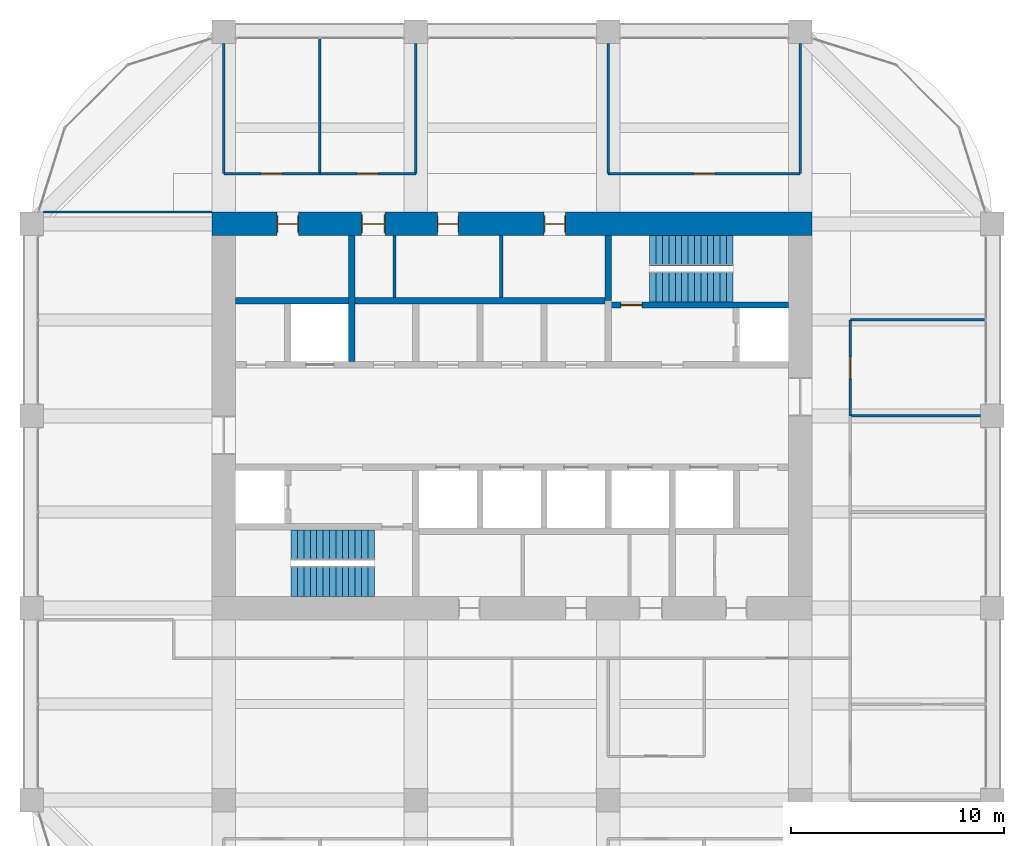
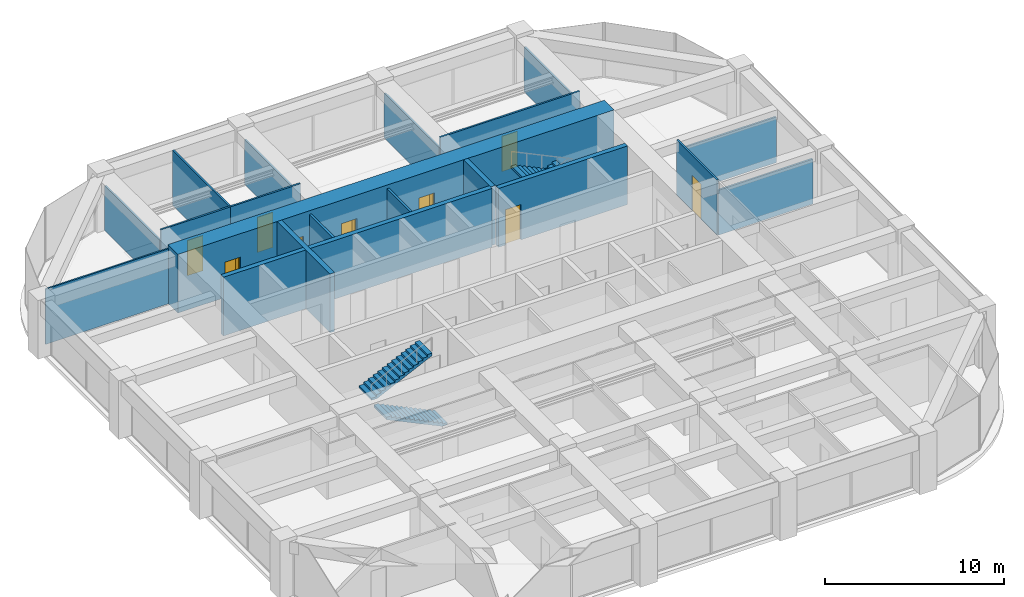
# One storey, part 43 of 44: 19 walls, 9 doors, 4 stair flights, 9 openings, 2 elements without a shape of their own.
"""IFC4 building model written with IfcOpenShell, lengths in metres."""

from ifc_helpers import new_model, si_unit, direction, frame, frame_2d, origin, place, context, subcontext, project, spatial, polyline, rectangle, outline, extrude, material, layer, layer_set, type_object, element, fill, aggregate, save


model = new_model("IFC4")

# Units and contexts
model_context = context("Model", 3, precision=1e-05, world=origin(), true_north=direction((0.0, 1.0)))
body_context = subcontext(model_context, "Body", "Model", "MODEL_VIEW")
ifc_project = project(units=[si_unit("LENGTHUNIT", "METRE"), si_unit("AREAUNIT", "SQUARE_METRE"), si_unit("VOLUMEUNIT", "CUBIC_METRE"), si_unit("PLANEANGLEUNIT", "RADIAN"), si_unit("MASSUNIT", "GRAM", prefix="KILO")], contexts=[model_context])

# Site, building, storey
site_placement = place(None, origin())
site = spatial("IfcSite", under=ifc_project, at=site_placement, CompositionType="ELEMENT")
building_placement = place(site_placement, origin())
building = spatial("IfcBuilding", under=site, at=building_placement, Name="Zorevar Civic Tower", CompositionType="ELEMENT")
storey_placement = place(building_placement, frame((0.0, 0.0, 299.39990234375)))
storey = spatial("IfcBuildingStorey", under=building, at=storey_placement, Name="L73", CompositionType="ELEMENT", Elevation=299.39990234375)

# Wall, openings, doors
ifc_material_1 = material(Name="Concrete C50/60", Category="concrete")
ifc_layer_1 = layer(ifc_material_1, 1.10009765625)
ifc_layer_set_1 = layer_set([ifc_layer_1], Name="Core wall 1100")
wall_type_1 = type_object("IfcWallType", Name="Core wall 1100", PredefinedType="SHEAR", material=ifc_layer_set_1)
wall_1_placement = place(storey_placement, frame((45.550048828125, 36.0, 0.0), z_axis=(0.0, 0.0, 1.0), x_axis=(-1.0, 0.0, 0.0)))
wall_1 = element("IfcWall", 1, at=wall_1_placement, inside=storey, type_object=wall_type_1, Name="Core wall N L73", PredefinedType="SHEAR", context=body_context, shape_type="SweptSolid", body=[
    extrude(rectangle(XDim=28.10009765625, YDim=1.10009765625, at=frame_2d((14.050048828125, 0.0))), origin(), (0.0, 0.0, 1.0), 4.0),
])
opening_1_placement = place(wall_1_placement, frame((11.550048828125, 0.0, 0.0)))
opening_1 = element("IfcOpeningElement", 2, at=opening_1_placement, cuts=wall_1, Name="Opening L73.07", PredefinedType="OPENING", context=body_context, shape_type="SweptSolid", body=[
    extrude(rectangle(XDim=1.0, YDim=2.39990234375, at=frame_2d((0.5, 1.199951171875))), frame((0.0, 0.56005859375, 0.0), z_axis=(0.0, -1.0, 0.0), x_axis=(1.0, 0.0, 0.0)), (0.0, 0.0, 1.0), 1.1201171875),
])
opening_2_placement = place(wall_1_placement, frame((16.550048828125, 0.0, 0.0)))
opening_2 = element("IfcOpeningElement", 3, at=opening_2_placement, cuts=wall_1, Name="Opening L73.08", PredefinedType="OPENING", context=body_context, shape_type="SweptSolid", body=[
    extrude(rectangle(XDim=1.0, YDim=2.39990234375, at=frame_2d((0.5, 1.199951171875))), frame((0.0, 0.56005859375, 0.0), z_axis=(0.0, -1.0, 0.0), x_axis=(1.0, 0.0, 0.0)), (0.0, 0.0, 1.0), 1.1201171875),
])
opening_3_placement = place(wall_1_placement, frame((20.0, 0.0, 0.0)))
opening_3 = element("IfcOpeningElement", 4, at=opening_3_placement, cuts=wall_1, Name="Opening L73.09", PredefinedType="OPENING", context=body_context, shape_type="SweptSolid", body=[
    extrude(rectangle(XDim=1.10009765625, YDim=2.39990234375, at=frame_2d((0.550048828125, 1.199951171875))), frame((0.0, 0.56005859375, 0.0), z_axis=(0.0, -1.0, 0.0), x_axis=(1.0, 0.0, 0.0)), (0.0, 0.0, 1.0), 1.1201171875),
])
opening_4_placement = place(wall_1_placement, frame((24.050048828125, 0.0, 0.0)))
opening_4 = element("IfcOpeningElement", 5, at=opening_4_placement, cuts=wall_1, Name="Opening L73.10", PredefinedType="OPENING", context=body_context, shape_type="SweptSolid", body=[
    extrude(rectangle(XDim=1.0, YDim=2.39990234375, at=frame_2d((0.5, 1.199951171875))), frame((0.0, 0.56005859375, 0.0), z_axis=(0.0, -1.0, 0.0), x_axis=(1.0, 0.0, 0.0)), (0.0, 0.0, 1.0), 1.1201171875),
])
ifc_material_2 = material(Name="Timber door set", Category="wood")
door_type_1 = type_object("IfcDoorType", Name="Door D1 1000x2400", OperationType="SINGLE_SWING_LEFT", PredefinedType="DOOR", material=ifc_material_2)
door_1_placement = place(opening_1_placement, origin())
door_1 = element("IfcDoor", 6, at=door_1_placement, inside=storey, type_object=door_type_1, Name="Door L73 06", OperationType="SINGLE_SWING_LEFT", OverallHeight=2.39990234375, OverallWidth=1.0, PredefinedType="DOOR", context=body_context, shape_type="SweptSolid", body=[
    extrude(rectangle(XDim=1.0, YDim=2.39990234375, at=frame_2d((0.5, 1.199951171875))), frame((0.0, 0.02490234375, 0.0), z_axis=(0.0, -1.0, 0.0), x_axis=(1.0, 0.0, 0.0)), (0.0, 0.0, 1.0), 0.050048828125),
    extrude(rectangle(XDim=0.04, YDim=2.39990234375, at=frame_2d((0.02001953125, 1.199951171875))), frame((0.0, 0.39990234375, 0.0), z_axis=(0.0, -1.0, 0.0), x_axis=(1.0, 0.0, 0.0)), (0.0, 0.0, 1.0), 0.800048828125),
    extrude(rectangle(XDim=0.04, YDim=2.39990234375, at=frame_2d((0.97998046875, 1.199951171875))), frame((0.0, 0.39990234375, 0.0), z_axis=(0.0, -1.0, 0.0), x_axis=(1.0, 0.0, 0.0)), (0.0, 0.0, 1.0), 0.800048828125),
    extrude(rectangle(XDim=1.0, YDim=0.04, at=frame_2d((0.5, 2.3798828125))), frame((0.0, 0.39990234375, 0.0), z_axis=(0.0, -1.0, 0.0), x_axis=(1.0, 0.0, 0.0)), (0.0, 0.0, 1.0), 0.800048828125),
])
fill(opening_1, door_1)
door_2_placement = place(opening_2_placement, origin())
door_2 = element("IfcDoor", 7, at=door_2_placement, inside=storey, type_object=door_type_1, Name="Door L73 07", OperationType="SINGLE_SWING_RIGHT", OverallHeight=2.39990234375, OverallWidth=1.0, PredefinedType="DOOR", context=body_context, shape_type="SweptSolid", body=[
    extrude(rectangle(XDim=1.0, YDim=2.39990234375, at=frame_2d((0.5, 1.199951171875))), frame((0.0, 0.02490234375, 0.0), z_axis=(0.0, -1.0, 0.0), x_axis=(1.0, 0.0, 0.0)), (0.0, 0.0, 1.0), 0.050048828125),
    extrude(rectangle(XDim=0.04, YDim=2.39990234375, at=frame_2d((0.02001953125, 1.199951171875))), frame((0.0, 0.39990234375, 0.0), z_axis=(0.0, -1.0, 0.0), x_axis=(1.0, 0.0, 0.0)), (0.0, 0.0, 1.0), 0.800048828125),
    extrude(rectangle(XDim=0.04, YDim=2.39990234375, at=frame_2d((0.97998046875, 1.199951171875))), frame((0.0, 0.39990234375, 0.0), z_axis=(0.0, -1.0, 0.0), x_axis=(1.0, 0.0, 0.0)), (0.0, 0.0, 1.0), 0.800048828125),
    extrude(rectangle(XDim=1.0, YDim=0.04, at=frame_2d((0.5, 2.3798828125))), frame((0.0, 0.39990234375, 0.0), z_axis=(0.0, -1.0, 0.0), x_axis=(1.0, 0.0, 0.0)), (0.0, 0.0, 1.0), 0.800048828125),
])
fill(opening_2, door_2)
door_3_placement = place(opening_4_placement, origin())
door_3 = element("IfcDoor", 8, at=door_3_placement, inside=storey, type_object=door_type_1, Name="Door L73 09", OperationType="SINGLE_SWING_RIGHT", OverallHeight=2.39990234375, OverallWidth=1.0, PredefinedType="DOOR", context=body_context, shape_type="SweptSolid", body=[
    extrude(rectangle(XDim=1.0, YDim=2.39990234375, at=frame_2d((0.5, 1.199951171875))), frame((0.0, 0.02490234375, 0.0), z_axis=(0.0, -1.0, 0.0), x_axis=(1.0, 0.0, 0.0)), (0.0, 0.0, 1.0), 0.050048828125),
    extrude(rectangle(XDim=0.04, YDim=2.39990234375, at=frame_2d((0.02001953125, 1.199951171875))), frame((0.0, 0.39990234375, 0.0), z_axis=(0.0, -1.0, 0.0), x_axis=(1.0, 0.0, 0.0)), (0.0, 0.0, 1.0), 0.800048828125),
    extrude(rectangle(XDim=0.04, YDim=2.39990234375, at=frame_2d((0.97998046875, 1.199951171875))), frame((0.0, 0.39990234375, 0.0), z_axis=(0.0, -1.0, 0.0), x_axis=(1.0, 0.0, 0.0)), (0.0, 0.0, 1.0), 0.800048828125),
    extrude(rectangle(XDim=1.0, YDim=0.04, at=frame_2d((0.5, 2.3798828125))), frame((0.0, 0.39990234375, 0.0), z_axis=(0.0, -1.0, 0.0), x_axis=(1.0, 0.0, 0.0)), (0.0, 0.0, 1.0), 0.800048828125),
])
fill(opening_4, door_3)
ifc_material_3 = material(Name="Timber door set", Category="wood")
door_type_2 = type_object("IfcDoorType", Name="Door D5 1100x2400", OperationType="SINGLE_SWING_LEFT", PredefinedType="DOOR", material=ifc_material_3)
door_4_placement = place(opening_3_placement, origin())
door_4 = element("IfcDoor", 9, at=door_4_placement, inside=storey, type_object=door_type_2, Name="Door L73 08", OperationType="SINGLE_SWING_RIGHT", OverallHeight=2.39990234375, OverallWidth=1.10009765625, PredefinedType="DOOR", context=body_context, shape_type="SweptSolid", body=[
    extrude(rectangle(XDim=1.10009765625, YDim=2.39990234375, at=frame_2d((0.550048828125, 1.199951171875))), frame((0.0, 0.02490234375, 0.0), z_axis=(0.0, -1.0, 0.0), x_axis=(1.0, 0.0, 0.0)), (0.0, 0.0, 1.0), 0.050048828125),
    extrude(rectangle(XDim=0.04, YDim=2.39990234375, at=frame_2d((0.02001953125, 1.199951171875))), frame((0.0, 0.43994140625, 0.0), z_axis=(0.0, -1.0, 0.0), x_axis=(1.0, 0.0, 0.0)), (0.0, 0.0, 1.0), 0.880126953125),
    extrude(rectangle(XDim=0.04, YDim=2.39990234375, at=frame_2d((1.080078125, 1.199951171875))), frame((0.0, 0.43994140625, 0.0), z_axis=(0.0, -1.0, 0.0), x_axis=(1.0, 0.0, 0.0)), (0.0, 0.0, 1.0), 0.880126953125),
    extrude(rectangle(XDim=1.10009765625, YDim=0.04, at=frame_2d((0.550048828125, 2.3798828125))), frame((0.0, 0.43994140625, 0.0), z_axis=(0.0, -1.0, 0.0), x_axis=(1.0, 0.0, 0.0)), (0.0, 0.0, 1.0), 0.880126953125),
])
fill(opening_3, door_4)

# Wall
ifc_material_4 = material(Name="Laminated glass in black aluminium frame", Category="aluminium")
ifc_layer_2 = layer(ifc_material_4, 0.10009765625)
ifc_layer_set_2 = layer_set([ifc_layer_2], Name="Glazed partition 100")
wall_type_2 = type_object("IfcWallType", Name="Glazed partition 100", PredefinedType="PARTITIONING", material=ifc_layer_set_2)
wall_2_placement = place(storey_placement, frame((9.550048828125, 36.550048828125, 0.0), z_axis=(0.0, 0.0, 1.0), x_axis=(1.0, 0.0, 0.0)))
element("IfcWall", 10, at=wall_2_placement, inside=storey, type_object=wall_type_2, Name="Glazed partition 100 L73", PredefinedType="PARTITIONING", context=body_context, shape_type="SweptSolid", body=[
    extrude(rectangle(XDim=7.89990234375, YDim=0.10009765625, at=frame_2d((3.949951171875, 0.0))), origin(), (0.0, 0.0, 1.0), 3.75),
])

# Wall, opening, door
ifc_material_5 = material(Name="Concrete C40/50", Category="concrete")
ifc_layer_3 = layer(ifc_material_5, 0.300048828125)
ifc_layer_set_3 = layer_set([ifc_layer_3], Name="Inner core wall 300")
wall_type_3 = type_object("IfcWallType", Name="Inner core wall 300", PredefinedType="SHEAR", material=ifc_layer_set_3)
wall_3_placement = place(storey_placement, frame((36.14990234375, 32.199951171875, 0.0), z_axis=(0.0, 0.0, 1.0), x_axis=(1.0, 0.0, 0.0)))
wall_3 = element("IfcWall", 11, at=wall_3_placement, inside=storey, type_object=wall_type_3, Name="Inner core wall N00 L73", PredefinedType="SHEAR", context=body_context, shape_type="SweptSolid", body=[
    extrude(rectangle(XDim=8.300048828125, YDim=0.300048828125, at=frame_2d((4.14990234375, 0.0))), origin(), (0.0, 0.0, 1.0), 4.0),
])
opening_5_placement = place(wall_3_placement, frame((0.449951171875, 0.0, 0.0)))
opening_5 = element("IfcOpeningElement", 12, at=opening_5_placement, cuts=wall_3, Name="Opening L73.12", PredefinedType="OPENING", context=body_context, shape_type="SweptSolid", body=[
    extrude(rectangle(XDim=1.0, YDim=2.39990234375, at=frame_2d((0.5, 1.199951171875))), frame((0.0, 0.159912109375, 0.0), z_axis=(0.0, -1.0, 0.0), x_axis=(1.0, 0.0, 0.0)), (0.0, 0.0, 1.0), 0.320068359375),
])
ifc_material_6 = material(Name="Steel door set", Category="steel")
door_type_3 = type_object("IfcDoorType", Name="Fire door FD1 1000x2400", OperationType="SINGLE_SWING_LEFT", PredefinedType="DOOR", material=ifc_material_6)
door_5_placement = place(opening_5_placement, origin())
door_5 = element("IfcDoor", 13, at=door_5_placement, inside=storey, type_object=door_type_3, Name="Door L73 11", OperationType="SINGLE_SWING_RIGHT", OverallHeight=2.39990234375, OverallWidth=1.0, PredefinedType="DOOR", context=body_context, shape_type="SweptSolid", body=[
    extrude(rectangle(XDim=1.0, YDim=2.39990234375, at=frame_2d((0.5, 1.199951171875))), frame((0.0, 0.030029296875, 0.0), z_axis=(0.0, -1.0, 0.0), x_axis=(1.0, 0.0, 0.0)), (0.0, 0.0, 1.0), 0.06005859375),
])
fill(opening_5, door_5)

# Walls
wall_4_placement = place(storey_placement, frame((36.0, 32.39990234375, 0.0), z_axis=(0.0, 0.0, 1.0), x_axis=(0.0, 1.0, 0.0)))
element("IfcWall", 14, at=wall_4_placement, inside=storey, type_object=wall_type_3, Name="Inner core wall N01 L73", PredefinedType="SHEAR", context=body_context, shape_type="SweptSolid", body=[
    extrude(rectangle(XDim=3.050048828125, YDim=0.300048828125, at=frame_2d((1.52490234375, 0.0))), origin(), (0.0, 0.0, 1.0), 4.0),
])
wall_5_placement = place(storey_placement, frame((18.550048828125, 32.39990234375, 0.0), z_axis=(0.0, 0.0, 1.0), x_axis=(1.0, 0.0, 0.0)))
element("IfcWall", 15, at=wall_5_placement, inside=storey, type_object=wall_type_3, Name="Inner core wall N04 L73", PredefinedType="SHEAR", context=body_context, shape_type="SweptSolid", body=[
    extrude(rectangle(XDim=17.300048828125, YDim=0.300048828125, at=frame_2d((8.64990234375, 0.0))), origin(), (0.0, 0.0, 1.0), 4.0),
])
wall_6_placement = place(storey_placement, frame((24.0, 29.550048828125, 0.0), z_axis=(0.0, 0.0, 1.0), x_axis=(0.0, 1.0, 0.0)))
element("IfcWall", 16, at=wall_6_placement, inside=storey, type_object=wall_type_3, Name="Inner core wall N08 L73", PredefinedType="SHEAR", context=body_context, shape_type="SweptSolid", body=[
    extrude(rectangle(XDim=5.89990234375, YDim=0.300048828125, at=frame_2d((2.949951171875, 0.0))), origin(), (0.0, 0.0, 1.0), 4.0),
])
ifc_material_7 = material(Name="Gypsum board on steel studs", Category="steel")
ifc_layer_4 = layer(ifc_material_7, 0.1201171875)
ifc_layer_set_4 = layer_set([ifc_layer_4], Name="Partition 120")
wall_type_4 = type_object("IfcWallType", Name="Partition 120", PredefinedType="PARTITIONING", material=ifc_layer_set_4)
wall_7_placement = place(storey_placement, frame((47.35009765625, 27.0, 0.0), z_axis=(0.0, 0.0, 1.0), x_axis=(1.0, 0.0, 0.0)))
element("IfcWall", 17, at=wall_7_placement, inside=storey, type_object=wall_type_4, Name="Partition 120 L73", PredefinedType="PARTITIONING", context=body_context, shape_type="SweptSolid", body=[
    extrude(rectangle(XDim=6.099853515625, YDim=0.1201171875, at=frame_2d((3.0498046875, 0.0))), origin(), (0.0, 0.0, 1.0), 3.050048828125),
])
wall_8_placement = place(storey_placement, frame((47.35009765625, 31.5, 0.0), z_axis=(0.0, 0.0, 1.0), x_axis=(1.0, 0.0, 0.0)))
element("IfcWall", 18, at=wall_8_placement, inside=storey, type_object=wall_type_4, Name="Partition 120 L73", PredefinedType="PARTITIONING", context=body_context, shape_type="SweptSolid", body=[
    extrude(rectangle(XDim=6.33984375, YDim=0.1201171875, at=frame_2d((3.169921875, 0.0))), origin(), (0.0, 0.0, 1.0), 3.10009765625),
])

# Wall, opening, door
wall_9_placement = place(storey_placement, frame((18.0, 38.35009765625, 0.0), z_axis=(0.0, 0.0, 1.0), x_axis=(1.0, 0.0, 0.0)))
wall_9 = element("IfcWall", 19, at=wall_9_placement, inside=storey, type_object=wall_type_4, Name="Partition 120 L73", PredefinedType="PARTITIONING", context=body_context, shape_type="SweptSolid", body=[
    extrude(rectangle(XDim=4.5, YDim=0.1201171875, at=frame_2d((2.25, 0.0))), origin(), (0.0, 0.0, 1.0), 3.75),
])
opening_6_placement = place(wall_9_placement, frame((1.75, 0.0, 0.0)))
opening_6 = element("IfcOpeningElement", 20, at=opening_6_placement, cuts=wall_9, Name="Opening L73.24", PredefinedType="OPENING", context=body_context, shape_type="SweptSolid", body=[
    extrude(rectangle(XDim=1.0, YDim=2.39990234375, at=frame_2d((0.5, 1.199951171875))), frame((0.0, 0.070068359375, 0.0), z_axis=(0.0, -1.0, 0.0), x_axis=(1.0, 0.0, 0.0)), (0.0, 0.0, 1.0), 0.14013671875),
])
door_6_placement = place(opening_6_placement, origin())
door_6 = element("IfcDoor", 21, at=door_6_placement, inside=storey, type_object=door_type_1, Name="Door L73 D1", OperationType="SINGLE_SWING_LEFT", OverallHeight=2.39990234375, OverallWidth=1.0, PredefinedType="DOOR", context=body_context, shape_type="SweptSolid", body=[
    extrude(rectangle(XDim=1.0, YDim=2.39990234375, at=frame_2d((0.5, 1.199951171875))), frame((0.0, 0.02490234375, 0.0), z_axis=(0.0, -1.0, 0.0), x_axis=(1.0, 0.0, 0.0)), (0.0, 0.0, 1.0), 0.050048828125),
])
fill(opening_6, door_6)

wall_10_placement = place(storey_placement, frame((22.5, 38.35009765625, 0.0), z_axis=(0.0, 0.0, 1.0), x_axis=(1.0, 0.0, 0.0)))
wall_10 = element("IfcWall", 22, at=wall_10_placement, inside=storey, type_object=wall_type_4, Name="Partition 120 L73", PredefinedType="PARTITIONING", context=body_context, shape_type="SweptSolid", body=[
    extrude(rectangle(XDim=4.5, YDim=0.1201171875, at=frame_2d((2.25, 0.0))), origin(), (0.0, 0.0, 1.0), 3.75),
])
opening_7_placement = place(wall_10_placement, frame((1.75, 0.0, 0.0)))
opening_7 = element("IfcOpeningElement", 23, at=opening_7_placement, cuts=wall_10, Name="Opening L73.25", PredefinedType="OPENING", context=body_context, shape_type="SweptSolid", body=[
    extrude(rectangle(XDim=1.0, YDim=2.39990234375, at=frame_2d((0.5, 1.199951171875))), frame((0.0, 0.070068359375, 0.0), z_axis=(0.0, -1.0, 0.0), x_axis=(1.0, 0.0, 0.0)), (0.0, 0.0, 1.0), 0.14013671875),
])
door_7_placement = place(opening_7_placement, origin())
door_7 = element("IfcDoor", 24, at=door_7_placement, inside=storey, type_object=door_type_1, Name="Door L73 D1", OperationType="SINGLE_SWING_LEFT", OverallHeight=2.39990234375, OverallWidth=1.0, PredefinedType="DOOR", context=body_context, shape_type="SweptSolid", body=[
    extrude(rectangle(XDim=1.0, YDim=2.39990234375, at=frame_2d((0.5, 1.199951171875))), frame((0.0, 0.02490234375, 0.0), z_axis=(0.0, -1.0, 0.0), x_axis=(1.0, 0.0, 0.0)), (0.0, 0.0, 1.0), 0.050048828125),
])
fill(opening_7, door_7)

wall_11_placement = place(storey_placement, frame((36.0, 38.35009765625, 0.0), z_axis=(0.0, 0.0, 1.0), x_axis=(1.0, 0.0, 0.0)))
wall_11 = element("IfcWall", 25, at=wall_11_placement, inside=storey, type_object=wall_type_4, Name="Partition 120 L73", PredefinedType="PARTITIONING", context=body_context, shape_type="SweptSolid", body=[
    extrude(rectangle(XDim=9.0, YDim=0.1201171875, at=frame_2d((4.5, 0.0))), origin(), (0.0, 0.0, 1.0), 3.75),
])
opening_8_placement = place(wall_11_placement, frame((4.0, 0.0, 0.0)))
opening_8 = element("IfcOpeningElement", 26, at=opening_8_placement, cuts=wall_11, Name="Opening L73.26", PredefinedType="OPENING", context=body_context, shape_type="SweptSolid", body=[
    extrude(rectangle(XDim=1.0, YDim=2.39990234375, at=frame_2d((0.5, 1.199951171875))), frame((0.0, 0.070068359375, 0.0), z_axis=(0.0, -1.0, 0.0), x_axis=(1.0, 0.0, 0.0)), (0.0, 0.0, 1.0), 0.14013671875),
])
door_8_placement = place(opening_8_placement, origin())
door_8 = element("IfcDoor", 27, at=door_8_placement, inside=storey, type_object=door_type_1, Name="Door L73 D1", OperationType="SINGLE_SWING_RIGHT", OverallHeight=2.39990234375, OverallWidth=1.0, PredefinedType="DOOR", context=body_context, shape_type="SweptSolid", body=[
    extrude(rectangle(XDim=1.0, YDim=2.39990234375, at=frame_2d((0.5, 1.199951171875))), frame((0.0, 0.02490234375, 0.0), z_axis=(0.0, -1.0, 0.0), x_axis=(1.0, 0.0, 0.0)), (0.0, 0.0, 1.0), 0.050048828125),
])
fill(opening_8, door_8)

# Walls
wall_12_placement = place(storey_placement, frame((18.0, 38.35009765625, 0.0), z_axis=(0.0, 0.0, 1.0), x_axis=(0.0, 1.0, 0.0)))
element("IfcWall", 28, at=wall_12_placement, inside=storey, type_object=wall_type_4, Name="Partition 120 L73", PredefinedType="PARTITIONING", context=body_context, shape_type="SweptSolid", body=[
    extrude(rectangle(XDim=6.099853515625, YDim=0.1201171875, at=frame_2d((3.0498046875, 0.0))), origin(), (0.0, 0.0, 1.0), 3.050048828125),
])
wall_13_placement = place(storey_placement, frame((22.5, 38.35009765625, 0.0), z_axis=(0.0, 0.0, 1.0), x_axis=(0.0, 1.0, 0.0)))
element("IfcWall", 29, at=wall_13_placement, inside=storey, type_object=wall_type_4, Name="Partition 120 L73", PredefinedType="PARTITIONING", context=body_context, shape_type="SweptSolid", body=[
    extrude(rectangle(XDim=6.33984375, YDim=0.1201171875, at=frame_2d((3.169921875, 0.0))), origin(), (0.0, 0.0, 1.0), 3.75),
])
for number, where, z_axis, x_axis, name in (
    (30, (27.0, 38.35009765625, 0.0), (0.0, 0.0, 1.0), (0.0, 1.0, 0.0), "Partition 120 L73"),
    (31, (36.0, 38.35009765625, 0.0), (0.0, 0.0, 1.0), (0.0, 1.0, 0.0), "Partition 120 L73"),
    (32, (45.0, 38.35009765625, 0.0), (0.0, 0.0, 1.0), (0.0, 1.0, 0.0), "Partition 120 L73"),
):
    element("IfcWall", number, at=place(storey_placement, frame(where, z_axis=z_axis, x_axis=x_axis)), inside=storey, type_object=wall_type_4, Name=name, PredefinedType="PARTITIONING", context=body_context, shape_type="SweptSolid", body=[
        extrude(rectangle(XDim=6.099853515625, YDim=0.1201171875, at=frame_2d((3.0498046875, 0.0))), origin(), (0.0, 0.0, 1.0), 3.050048828125),
    ])

# Wall, opening, door
wall_14_placement = place(storey_placement, frame((47.35009765625, 27.0, 0.0), z_axis=(0.0, 0.0, 1.0), x_axis=(0.0, 1.0, 0.0)))
wall_14 = element("IfcWall", 33, at=wall_14_placement, inside=storey, type_object=wall_type_4, Name="Partition 120 L73", PredefinedType="PARTITIONING", context=body_context, shape_type="SweptSolid", body=[
    extrude(rectangle(XDim=4.5, YDim=0.1201171875, at=frame_2d((2.25, 0.0))), origin(), (0.0, 0.0, 1.0), 3.75),
])
opening_9_placement = place(wall_14_placement, frame((1.75, 0.0, 0.0)))
opening_9 = element("IfcOpeningElement", 34, at=opening_9_placement, cuts=wall_14, Name="Opening L73.31", PredefinedType="OPENING", context=body_context, shape_type="SweptSolid", body=[
    extrude(rectangle(XDim=1.0, YDim=2.39990234375, at=frame_2d((0.5, 1.199951171875))), frame((0.0, 0.070068359375, 0.0), z_axis=(0.0, -1.0, 0.0), x_axis=(1.0, 0.0, 0.0)), (0.0, 0.0, 1.0), 0.14013671875),
])
door_9_placement = place(opening_9_placement, origin())
door_9 = element("IfcDoor", 35, at=door_9_placement, inside=storey, type_object=door_type_1, Name="Door L73 D1", OperationType="SINGLE_SWING_LEFT", OverallHeight=2.39990234375, OverallWidth=1.0, PredefinedType="DOOR", context=body_context, shape_type="SweptSolid", body=[
    extrude(rectangle(XDim=1.0, YDim=2.39990234375, at=frame_2d((0.5, 1.199951171875))), frame((0.0, 0.02490234375, 0.0), z_axis=(0.0, -1.0, 0.0), x_axis=(1.0, 0.0, 0.0)), (0.0, 0.0, 1.0), 0.050048828125),
])
fill(opening_9, door_9)

# Walls
ifc_material_8 = material(Name="Gypsum board on steel studs, moisture resistant", Category="steel")
ifc_layer_5 = layer(ifc_material_8, 0.14990234375)
ifc_layer_set_5 = layer_set([ifc_layer_5], Name="WC partition 150")
wall_type_5 = type_object("IfcWallType", Name="WC partition 150", PredefinedType="PARTITIONING", material=ifc_layer_set_5)
for number, where, z_axis, x_axis, name in (
    (36, (31.0, 32.550048828125, 0.0), (0.0, 0.0, 1.0), (0.0, 1.0, 0.0), "WC partition L73"),
    (37, (26.0, 32.550048828125, 0.0), (0.0, 0.0, 1.0), (0.0, 1.0, 0.0), "WC partition L73"),
):
    element("IfcWall", number, at=place(storey_placement, frame(where, z_axis=z_axis, x_axis=x_axis)), inside=storey, type_object=wall_type_5, Name=name, PredefinedType="PARTITIONING", context=body_context, shape_type="SweptSolid", body=[
        extrude(rectangle(XDim=2.89990234375, YDim=0.14990234375, at=frame_2d((1.449951171875, 0.0))), origin(), (0.0, 0.0, 1.0), 3.75),
    ])

# Stair, stair flights
ifc_material_9 = material(Name="Precast concrete C40/50", Category="concrete")
stair_type = type_object("IfcStairType", Name="Stair ST 28R", PredefinedType="HALF_TURN_STAIR", material=ifc_material_9)
stair_1_placement = place(storey_placement, origin())
stair_1 = element("IfcStair", 38, at=stair_1_placement, inside=storey, type_object=stair_type, Name="Stair ST1 L73", PredefinedType="HALF_TURN_STAIR")
ifc_material_10 = material(Name="Precast concrete C40/50", Category="concrete")
stair_flight_type = type_object("IfcStairFlightType", Name="Stair flight", PredefinedType="STRAIGHT", material=ifc_material_10)
stair_flight_1_placement = place(storey_placement, frame((25.050048828125, 19.262451171875, 0.0), z_axis=(0.0, 0.0, 1.0), x_axis=(-1.0, 0.0, 0.0)))
stair_flight_1 = element("IfcStairFlight", 39, at=stair_flight_1_placement, type_object=stair_flight_type, Name="ST1 flight 1", NumberOfRisers=14, NumberOfTreads=13, PredefinedType="STRAIGHT", RiserHeight=0.142857143, TreadLength=0.3, context=body_context, shape_type="SweptSolid", body=[
    extrude(outline(polyline([(0.0, 0.0), (0.0, 0.142822265625), (0.300048828125, 0.142822265625), (0.300048828125, 0.28564453125), (0.60009765625, 0.28564453125), (0.60009765625, 0.428466796875), (0.89990234375, 0.428466796875), (0.89990234375, 0.571533203125), (1.199951171875, 0.571533203125), (1.199951171875, 0.71435546875), (1.5, 0.71435546875), (1.5, 0.857177734375), (1.800048828125, 0.857177734375), (1.800048828125, 1.0), (2.10009765625, 1.0), (2.10009765625, 1.142822265625), (2.39990234375, 1.142822265625), (2.39990234375, 1.28564453125), (2.699951171875, 1.28564453125), (2.699951171875, 1.428466796875), (3.0, 1.428466796875), (3.0, 1.571533203125), (3.300048828125, 1.571533203125), (3.300048828125, 1.71435546875), (3.60009765625, 1.71435546875), (3.60009765625, 1.857177734375), (3.89990234375, 1.857177734375), (3.89990234375, 2.0), (3.89990234375, 1.691162109375), (0.3486328125, 0.0), (0.0, 0.0)])), frame((0.0, 0.71240234375, 0.0), z_axis=(0.0, -1.0, 0.0), x_axis=(1.0, 0.0, 0.0)), (0.0, 0.0, 1.0), 1.425048828125),
])
stair_flight_2_placement = place(storey_placement, frame((21.14990234375, 20.9375, 2.0), z_axis=(0.0, 0.0, 1.0), x_axis=(1.0, 0.0, 0.0)))
stair_flight_2 = element("IfcStairFlight", 40, at=stair_flight_2_placement, type_object=stair_flight_type, Name="ST1 flight 2", NumberOfRisers=14, NumberOfTreads=13, PredefinedType="STRAIGHT", RiserHeight=0.142857143, TreadLength=0.3, context=body_context, shape_type="SweptSolid", body=[
    extrude(outline(polyline([(0.0, 0.0), (0.0, 0.142822265625), (0.300048828125, 0.142822265625), (0.300048828125, 0.28564453125), (0.60009765625, 0.28564453125), (0.60009765625, 0.428466796875), (0.89990234375, 0.428466796875), (0.89990234375, 0.571533203125), (1.199951171875, 0.571533203125), (1.199951171875, 0.71435546875), (1.5, 0.71435546875), (1.5, 0.857177734375), (1.800048828125, 0.857177734375), (1.800048828125, 1.0), (2.10009765625, 1.0), (2.10009765625, 1.142822265625), (2.39990234375, 1.142822265625), (2.39990234375, 1.28564453125), (2.699951171875, 1.28564453125), (2.699951171875, 1.428466796875), (3.0, 1.428466796875), (3.0, 1.571533203125), (3.300048828125, 1.571533203125), (3.300048828125, 1.71435546875), (3.60009765625, 1.71435546875), (3.60009765625, 1.857177734375), (3.89990234375, 1.857177734375), (3.89990234375, 2.0), (3.89990234375, 1.691162109375), (0.3486328125, 0.0), (0.0, 0.0)])), frame((0.0, 0.71240234375, 0.0), z_axis=(0.0, -1.0, 0.0), x_axis=(1.0, 0.0, 0.0)), (0.0, 0.0, 1.0), 1.425048828125),
])
aggregate(stair_1, [stair_flight_1, stair_flight_2])

stair_2_placement = place(storey_placement, origin())
stair_2 = element("IfcStair", 41, at=stair_2_placement, inside=storey, type_object=stair_type, Name="Stair ST2 L73", PredefinedType="HALF_TURN_STAIR")
stair_flight_3_placement = place(storey_placement, frame((37.949951171875, 34.737548828125, 0.0), z_axis=(0.0, 0.0, 1.0), x_axis=(1.0, 0.0, 0.0)))
stair_flight_3 = element("IfcStairFlight", 42, at=stair_flight_3_placement, type_object=stair_flight_type, Name="ST2 flight 1", NumberOfRisers=14, NumberOfTreads=13, PredefinedType="STRAIGHT", RiserHeight=0.142857143, TreadLength=0.3, context=body_context, shape_type="SweptSolid", body=[
    extrude(outline(polyline([(0.0, 0.0), (0.0, 0.142822265625), (0.300048828125, 0.142822265625), (0.300048828125, 0.28564453125), (0.60009765625, 0.28564453125), (0.60009765625, 0.428466796875), (0.89990234375, 0.428466796875), (0.89990234375, 0.571533203125), (1.199951171875, 0.571533203125), (1.199951171875, 0.71435546875), (1.5, 0.71435546875), (1.5, 0.857177734375), (1.800048828125, 0.857177734375), (1.800048828125, 1.0), (2.10009765625, 1.0), (2.10009765625, 1.142822265625), (2.39990234375, 1.142822265625), (2.39990234375, 1.28564453125), (2.699951171875, 1.28564453125), (2.699951171875, 1.428466796875), (3.0, 1.428466796875), (3.0, 1.571533203125), (3.300048828125, 1.571533203125), (3.300048828125, 1.71435546875), (3.60009765625, 1.71435546875), (3.60009765625, 1.857177734375), (3.89990234375, 1.857177734375), (3.89990234375, 2.0), (3.89990234375, 1.691162109375), (0.3486328125, 0.0), (0.0, 0.0)])), frame((0.0, 0.71240234375, 0.0), z_axis=(0.0, -1.0, 0.0), x_axis=(1.0, 0.0, 0.0)), (0.0, 0.0, 1.0), 1.425048828125),
])
stair_flight_4_placement = place(storey_placement, frame((41.85009765625, 33.0625, 2.0), z_axis=(0.0, 0.0, 1.0), x_axis=(-1.0, 0.0, 0.0)))
stair_flight_4 = element("IfcStairFlight", 43, at=stair_flight_4_placement, type_object=stair_flight_type, Name="ST2 flight 2", NumberOfRisers=14, NumberOfTreads=13, PredefinedType="STRAIGHT", RiserHeight=0.142857143, TreadLength=0.3, context=body_context, shape_type="SweptSolid", body=[
    extrude(outline(polyline([(0.0, 0.0), (0.0, 0.142822265625), (0.300048828125, 0.142822265625), (0.300048828125, 0.28564453125), (0.60009765625, 0.28564453125), (0.60009765625, 0.428466796875), (0.89990234375, 0.428466796875), (0.89990234375, 0.571533203125), (1.199951171875, 0.571533203125), (1.199951171875, 0.71435546875), (1.5, 0.71435546875), (1.5, 0.857177734375), (1.800048828125, 0.857177734375), (1.800048828125, 1.0), (2.10009765625, 1.0), (2.10009765625, 1.142822265625), (2.39990234375, 1.142822265625), (2.39990234375, 1.28564453125), (2.699951171875, 1.28564453125), (2.699951171875, 1.428466796875), (3.0, 1.428466796875), (3.0, 1.571533203125), (3.300048828125, 1.571533203125), (3.300048828125, 1.71435546875), (3.60009765625, 1.71435546875), (3.60009765625, 1.857177734375), (3.89990234375, 1.857177734375), (3.89990234375, 2.0), (3.89990234375, 1.691162109375), (0.3486328125, 0.0), (0.0, 0.0)])), frame((0.0, 0.71240234375, 0.0), z_axis=(0.0, -1.0, 0.0), x_axis=(1.0, 0.0, 0.0)), (0.0, 0.0, 1.0), 1.425048828125),
])
aggregate(stair_2, [stair_flight_3, stair_flight_4])

save(model, "model.ifc")
